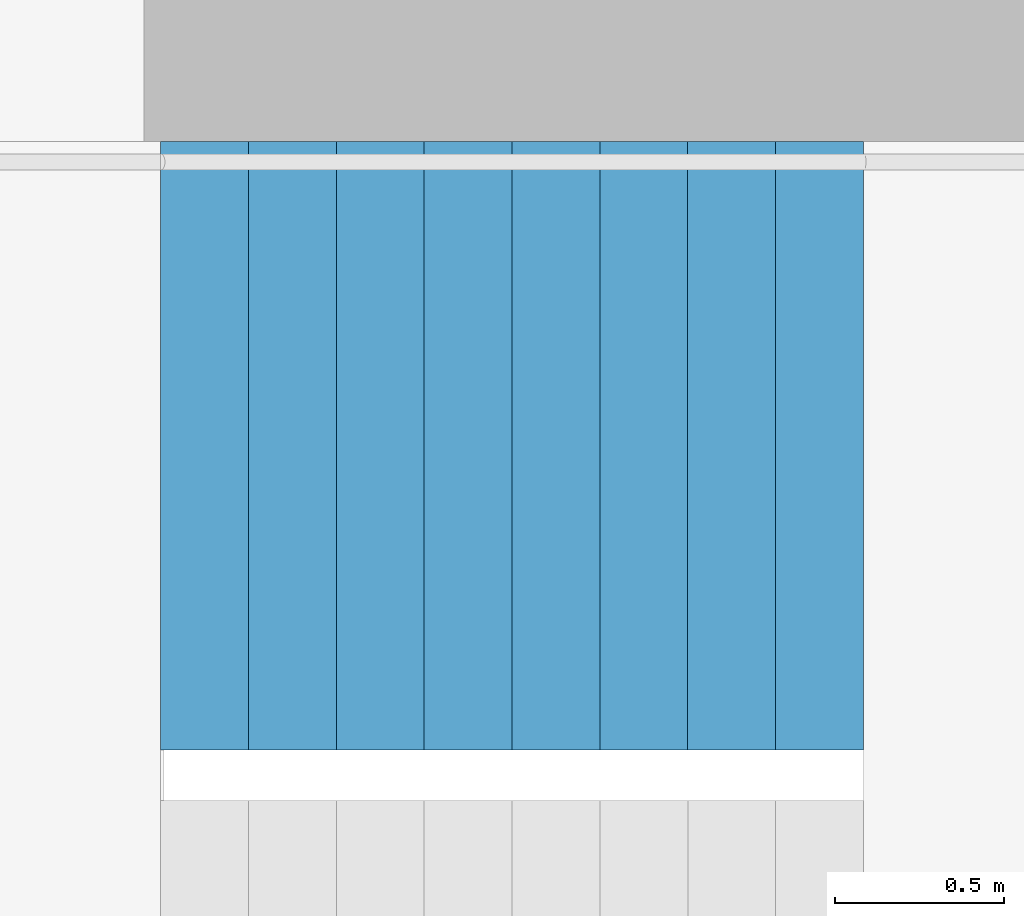
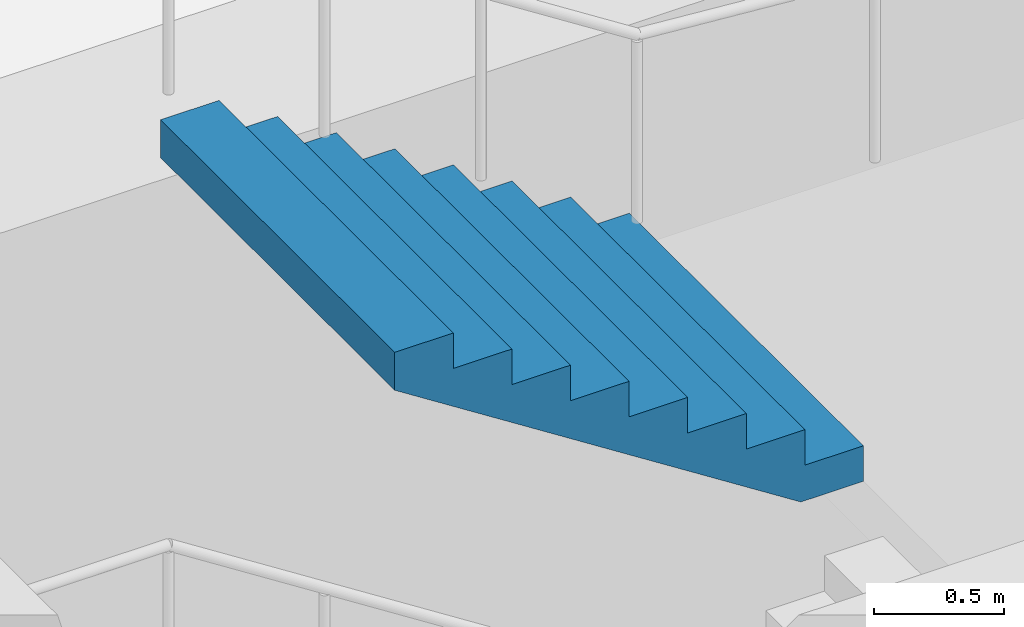
# One storey, part 25 of 35: 1 stair flight, 1 element without a shape of its own.
"""IFC4 building model written with IfcOpenShell, lengths in metres."""

from ifc_helpers import new_model, si_unit, direction, frame, origin, place, context, subcontext, project, spatial, triangles, material, type_object, element, aggregate, save


model = new_model("IFC4")

# Units and contexts
model_context = context("Model", 3, precision=1e-05, world=origin(), true_north=direction((0.0, 1.0)))
body_context = subcontext(model_context, "Body", "Model", "MODEL_VIEW")
ifc_project = project(units=[si_unit("LENGTHUNIT", "METRE"), si_unit("AREAUNIT", "SQUARE_METRE"), si_unit("VOLUMEUNIT", "CUBIC_METRE"), si_unit("PLANEANGLEUNIT", "RADIAN"), si_unit("MASSUNIT", "GRAM", prefix="KILO")], contexts=[model_context])

# Site, building, storey
site_placement = place(None, origin())
site = spatial("IfcSite", under=ifc_project, at=site_placement, CompositionType="ELEMENT")
building_placement = place(site_placement, origin())
building = spatial("IfcBuilding", under=site, at=building_placement, Name="Hakoniwa Tower and Hamabe Station Hall", CompositionType="ELEMENT")
storey_placement = place(building_placement, frame((0.0, 0.0, 270.60009765625)))
storey = spatial("IfcBuildingStorey", under=building, at=storey_placement, Name="L76", CompositionType="ELEMENT", Elevation=270.60009765625)

# Stair, stair flight
ifc_material_1 = material(Name="Concrete C40", Category="concrete")
stair_type = type_object("IfcStairType", Name="ESCAPE STAIR 1800", PredefinedType="HALF_TURN_STAIR", material=ifc_material_1)
stair_placement = place(storey_placement, origin())
stair = element("IfcStair", 1, at=stair_placement, inside=storey, type_object=stair_type, Name="Escape stair ST-1 L76", PredefinedType="HALF_TURN_STAIR")
ifc_material_2 = material(Name="Concrete C40", Category="concrete")
stair_flight_type = type_object("IfcStairFlightType", Name="STAIR FLIGHT 1800", PredefinedType="STRAIGHT", material=ifc_material_2)
stair_flight_placement = place(storey_placement, frame((-22.320068359375, 6.60009765625, 4.5), z_axis=(0.0, 0.0, 1.0), x_axis=(-1.0, 0.0, 0.0)))
stair_flight = element("IfcStairFlight", 2, at=stair_flight_placement, type_object=stair_flight_type, Name="ST-1 flight 4", NumberOfRisers=9, NumberOfTreads=8, PredefinedType="STRAIGHT", RiserHeight=0.166666667, TreadLength=0.26, context=body_context, shape_type="Tessellation", body=[
    triangles([(0.0, 0.89990234375, 0.0), (0.260009765625, 0.89990234375, 0.0), (0.27783203125, 0.89990234375, 0.0), (0.52001953125, 0.89990234375, 0.1552734375), (0.780029296875, 0.89990234375, 0.322021484375), (1.0400390625, 0.89990234375, 0.488525390625), (1.300048828125, 0.89990234375, 0.6552734375), (1.56005859375, 0.89990234375, 0.822021484375), (1.820068359375, 0.89990234375, 0.988525390625), (2.080078125, 0.89990234375, 1.1552734375), (2.080078125, 0.89990234375, 1.333251953125), (1.820068359375, 0.89990234375, 1.333251953125), (1.820068359375, 0.89990234375, 1.166748046875), (1.56005859375, 0.89990234375, 1.166748046875), (1.56005859375, 0.89990234375, 1.0), (1.300048828125, 0.89990234375, 1.0), (1.300048828125, 0.89990234375, 0.833251953125), (1.0400390625, 0.89990234375, 0.833251953125), (1.0400390625, 0.89990234375, 0.666748046875), (0.780029296875, 0.89990234375, 0.666748046875), (0.780029296875, 0.89990234375, 0.5), (0.52001953125, 0.89990234375, 0.5), (0.52001953125, 0.89990234375, 0.333251953125), (0.27783203125, 0.89990234375, 0.333251953125), (0.260009765625, 0.89990234375, 0.333251953125), (0.260009765625, 0.89990234375, 0.166748046875), (0.0, 0.89990234375, 0.166748046875), (0.0, 0.06005859375, 0.0), (0.260009765625, 0.06005859375, 0.0), (0.27783203125, 0.06005859375, 0.0), (0.52001953125, 0.06005859375, 0.1552734375), (0.780029296875, 0.06005859375, 0.322021484375), (1.0400390625, 0.06005859375, 0.488525390625), (1.300048828125, 0.06005859375, 0.6552734375), (1.56005859375, 0.06005859375, 0.822021484375), (1.820068359375, 0.06005859375, 0.988525390625), (2.080078125, 0.06005859375, 1.1552734375), (2.080078125, 0.06005859375, 1.333251953125), (1.820068359375, 0.06005859375, 1.333251953125), (1.820068359375, 0.06005859375, 1.166748046875), (1.56005859375, 0.06005859375, 1.166748046875), (1.56005859375, 0.06005859375, 1.0), (1.300048828125, 0.06005859375, 1.0), (1.300048828125, 0.06005859375, 0.833251953125), (1.0400390625, 0.06005859375, 0.833251953125), (1.0400390625, 0.06005859375, 0.666748046875), (0.780029296875, 0.06005859375, 0.666748046875), (0.780029296875, 0.06005859375, 0.5), (0.52001953125, 0.06005859375, 0.5), (0.52001953125, 0.06005859375, 0.333251953125), (0.27783203125, 0.06005859375, 0.333251953125), (0.260009765625, 0.06005859375, 0.333251953125), (0.260009765625, 0.06005859375, 0.166748046875), (0.0, 0.06005859375, 0.166748046875), (0.0, 0.04296875, 0.0), (0.260009765625, 0.04296875, 0.0), (0.27783203125, 0.04296875, 0.0), (0.52001953125, 0.04296875, 0.1552734375), (0.780029296875, 0.04296875, 0.322021484375), (1.0400390625, 0.04296875, 0.488525390625), (1.300048828125, 0.04296875, 0.6552734375), (1.56005859375, 0.04296875, 0.822021484375), (1.820068359375, 0.04296875, 0.988525390625), (2.080078125, 0.04296875, 1.1552734375), (2.080078125, 0.04296875, 1.333251953125), (1.820068359375, 0.04296875, 1.333251953125), (1.820068359375, 0.04296875, 1.166748046875), (1.56005859375, 0.04296875, 1.166748046875), (1.56005859375, 0.04296875, 1.0), (1.300048828125, 0.04296875, 1.0), (1.300048828125, 0.04296875, 0.833251953125), (1.0400390625, 0.04296875, 0.833251953125), (1.0400390625, 0.04296875, 0.666748046875), (0.780029296875, 0.04296875, 0.666748046875), (0.780029296875, 0.04296875, 0.5), (0.52001953125, 0.04296875, 0.5), (0.52001953125, 0.04296875, 0.333251953125), (0.27783203125, 0.04296875, 0.333251953125), (0.260009765625, 0.04296875, 0.333251953125), (0.260009765625, 0.04296875, 0.166748046875), (0.0, 0.04296875, 0.166748046875), (0.0, 0.025634765625, 0.0), (0.260009765625, 0.025634765625, 0.0), (0.27783203125, 0.025634765625, 0.0), (0.52001953125, 0.025634765625, 0.1552734375), (0.780029296875, 0.025634765625, 0.322021484375), (1.0400390625, 0.025634765625, 0.488525390625), (1.300048828125, 0.025634765625, 0.6552734375), (1.56005859375, 0.025634765625, 0.822021484375), (1.820068359375, 0.025634765625, 0.988525390625), (2.080078125, 0.025634765625, 1.1552734375), (2.080078125, 0.025634765625, 1.333251953125), (1.820068359375, 0.025634765625, 1.333251953125), (1.820068359375, 0.025634765625, 1.166748046875), (1.56005859375, 0.025634765625, 1.166748046875), (1.56005859375, 0.025634765625, 1.0), (1.300048828125, 0.025634765625, 1.0), (1.300048828125, 0.025634765625, 0.833251953125), (1.0400390625, 0.025634765625, 0.833251953125), (1.0400390625, 0.025634765625, 0.666748046875), (0.780029296875, 0.025634765625, 0.666748046875), (0.780029296875, 0.025634765625, 0.5), (0.52001953125, 0.025634765625, 0.5), (0.52001953125, 0.025634765625, 0.333251953125), (0.27783203125, 0.025634765625, 0.333251953125), (0.260009765625, 0.025634765625, 0.333251953125), (0.260009765625, 0.025634765625, 0.166748046875), (0.0, 0.025634765625, 0.166748046875), (0.0, 0.008544921875, 0.0), (0.260009765625, 0.008544921875, 0.0), (0.27783203125, 0.008544921875, 0.0), (0.52001953125, 0.008544921875, 0.1552734375), (0.780029296875, 0.008544921875, 0.322021484375), (1.0400390625, 0.008544921875, 0.488525390625), (1.300048828125, 0.008544921875, 0.6552734375), (1.56005859375, 0.008544921875, 0.822021484375), (1.820068359375, 0.008544921875, 0.988525390625), (2.080078125, 0.008544921875, 1.1552734375), (2.080078125, 0.008544921875, 1.333251953125), (1.820068359375, 0.008544921875, 1.333251953125), (1.820068359375, 0.008544921875, 1.166748046875), (1.56005859375, 0.008544921875, 1.166748046875), (1.56005859375, 0.008544921875, 1.0), (1.300048828125, 0.008544921875, 1.0), (1.300048828125, 0.008544921875, 0.833251953125), (1.0400390625, 0.008544921875, 0.833251953125), (1.0400390625, 0.008544921875, 0.666748046875), (0.780029296875, 0.008544921875, 0.666748046875), (0.780029296875, 0.008544921875, 0.5), (0.52001953125, 0.008544921875, 0.5), (0.52001953125, 0.008544921875, 0.333251953125), (0.27783203125, 0.008544921875, 0.333251953125), (0.260009765625, 0.008544921875, 0.333251953125), (0.260009765625, 0.008544921875, 0.166748046875), (0.0, 0.008544921875, 0.166748046875), (0.0, -0.008544921875, 0.0), (0.260009765625, -0.008544921875, 0.0), (0.27783203125, -0.008544921875, 0.0), (0.52001953125, -0.008544921875, 0.1552734375), (0.780029296875, -0.008544921875, 0.322021484375), (1.0400390625, -0.008544921875, 0.488525390625), (1.300048828125, -0.008544921875, 0.6552734375), (1.56005859375, -0.008544921875, 0.822021484375), (1.820068359375, -0.008544921875, 0.988525390625), (2.080078125, -0.008544921875, 1.1552734375), (2.080078125, -0.008544921875, 1.333251953125), (1.820068359375, -0.008544921875, 1.333251953125), (1.820068359375, -0.008544921875, 1.166748046875), (1.56005859375, -0.008544921875, 1.166748046875), (1.56005859375, -0.008544921875, 1.0), (1.300048828125, -0.008544921875, 1.0), (1.300048828125, -0.008544921875, 0.833251953125), (1.0400390625, -0.008544921875, 0.833251953125), (1.0400390625, -0.008544921875, 0.666748046875), (0.780029296875, -0.008544921875, 0.666748046875), (0.780029296875, -0.008544921875, 0.5), (0.52001953125, -0.008544921875, 0.5), (0.52001953125, -0.008544921875, 0.333251953125), (0.27783203125, -0.008544921875, 0.333251953125), (0.260009765625, -0.008544921875, 0.333251953125), (0.260009765625, -0.008544921875, 0.166748046875), (0.0, -0.008544921875, 0.166748046875), (0.0, -0.025634765625, 0.0), (0.260009765625, -0.025634765625, 0.0), (0.27783203125, -0.025634765625, 0.0), (0.52001953125, -0.025634765625, 0.1552734375), (0.780029296875, -0.025634765625, 0.322021484375), (1.0400390625, -0.025634765625, 0.488525390625), (1.300048828125, -0.025634765625, 0.6552734375), (1.56005859375, -0.025634765625, 0.822021484375), (1.820068359375, -0.025634765625, 0.988525390625), (2.080078125, -0.025634765625, 1.1552734375), (2.080078125, -0.025634765625, 1.333251953125), (1.820068359375, -0.025634765625, 1.333251953125), (1.820068359375, -0.025634765625, 1.166748046875), (1.56005859375, -0.025634765625, 1.166748046875), (1.56005859375, -0.025634765625, 1.0), (1.300048828125, -0.025634765625, 1.0), (1.300048828125, -0.025634765625, 0.833251953125), (1.0400390625, -0.025634765625, 0.833251953125), (1.0400390625, -0.025634765625, 0.666748046875), (0.780029296875, -0.025634765625, 0.666748046875), (0.780029296875, -0.025634765625, 0.5), (0.52001953125, -0.025634765625, 0.5), (0.52001953125, -0.025634765625, 0.333251953125), (0.27783203125, -0.025634765625, 0.333251953125), (0.260009765625, -0.025634765625, 0.333251953125), (0.260009765625, -0.025634765625, 0.166748046875), (0.0, -0.025634765625, 0.166748046875), (0.0, -0.04296875, 0.0), (0.260009765625, -0.04296875, 0.0), (0.27783203125, -0.04296875, 0.0), (0.52001953125, -0.04296875, 0.1552734375), (0.780029296875, -0.04296875, 0.322021484375), (1.0400390625, -0.04296875, 0.488525390625), (1.300048828125, -0.04296875, 0.6552734375), (1.56005859375, -0.04296875, 0.822021484375), (1.820068359375, -0.04296875, 0.988525390625), (2.080078125, -0.04296875, 1.1552734375), (2.080078125, -0.04296875, 1.333251953125), (1.820068359375, -0.04296875, 1.333251953125), (1.820068359375, -0.04296875, 1.166748046875), (1.56005859375, -0.04296875, 1.166748046875), (1.56005859375, -0.04296875, 1.0), (1.300048828125, -0.04296875, 1.0), (1.300048828125, -0.04296875, 0.833251953125), (1.0400390625, -0.04296875, 0.833251953125), (1.0400390625, -0.04296875, 0.666748046875), (0.780029296875, -0.04296875, 0.666748046875), (0.780029296875, -0.04296875, 0.5), (0.52001953125, -0.04296875, 0.5), (0.52001953125, -0.04296875, 0.333251953125), (0.27783203125, -0.04296875, 0.333251953125), (0.260009765625, -0.04296875, 0.333251953125), (0.260009765625, -0.04296875, 0.166748046875), (0.0, -0.04296875, 0.166748046875), (0.0, -0.06005859375, 0.0), (0.260009765625, -0.06005859375, 0.0), (0.27783203125, -0.06005859375, 0.0), (0.52001953125, -0.06005859375, 0.1552734375), (0.780029296875, -0.06005859375, 0.322021484375), (1.0400390625, -0.06005859375, 0.488525390625), (1.300048828125, -0.06005859375, 0.6552734375), (1.56005859375, -0.06005859375, 0.822021484375), (1.820068359375, -0.06005859375, 0.988525390625), (2.080078125, -0.06005859375, 1.1552734375), (2.080078125, -0.06005859375, 1.333251953125), (1.820068359375, -0.06005859375, 1.333251953125), (1.820068359375, -0.06005859375, 1.166748046875), (1.56005859375, -0.06005859375, 1.166748046875), (1.56005859375, -0.06005859375, 1.0), (1.300048828125, -0.06005859375, 1.0), (1.300048828125, -0.06005859375, 0.833251953125), (1.0400390625, -0.06005859375, 0.833251953125), (1.0400390625, -0.06005859375, 0.666748046875), (0.780029296875, -0.06005859375, 0.666748046875), (0.780029296875, -0.06005859375, 0.5), (0.52001953125, -0.06005859375, 0.5), (0.52001953125, -0.06005859375, 0.333251953125), (0.27783203125, -0.06005859375, 0.333251953125), (0.260009765625, -0.06005859375, 0.333251953125), (0.260009765625, -0.06005859375, 0.166748046875), (0.0, -0.06005859375, 0.166748046875), (0.0, -0.89990234375, 0.0), (0.260009765625, -0.89990234375, 0.0), (0.27783203125, -0.89990234375, 0.0), (0.52001953125, -0.89990234375, 0.1552734375), (0.780029296875, -0.89990234375, 0.322021484375), (1.0400390625, -0.89990234375, 0.488525390625), (1.300048828125, -0.89990234375, 0.6552734375), (1.56005859375, -0.89990234375, 0.822021484375), (1.820068359375, -0.89990234375, 0.988525390625), (2.080078125, -0.89990234375, 1.1552734375), (2.080078125, -0.89990234375, 1.333251953125), (1.820068359375, -0.89990234375, 1.333251953125), (1.820068359375, -0.89990234375, 1.166748046875), (1.56005859375, -0.89990234375, 1.166748046875), (1.56005859375, -0.89990234375, 1.0), (1.300048828125, -0.89990234375, 1.0), (1.300048828125, -0.89990234375, 0.833251953125), (1.0400390625, -0.89990234375, 0.833251953125), (1.0400390625, -0.89990234375, 0.666748046875), (0.780029296875, -0.89990234375, 0.666748046875), (0.780029296875, -0.89990234375, 0.5), (0.52001953125, -0.89990234375, 0.5), (0.52001953125, -0.89990234375, 0.333251953125), (0.27783203125, -0.89990234375, 0.333251953125), (0.260009765625, -0.89990234375, 0.333251953125), (0.260009765625, -0.89990234375, 0.166748046875), (0.0, -0.89990234375, 0.166748046875)], [[2, 27, 26], [245, 269, 270], [2, 1, 27], [245, 270, 244], [3, 25, 24], [246, 267, 268], [3, 26, 25], [246, 268, 269], [3, 2, 26], [246, 269, 245], [4, 24, 23], [247, 266, 267], [4, 3, 24], [247, 267, 246], [5, 22, 21], [248, 264, 265], [5, 23, 22], [248, 265, 266], [5, 4, 23], [248, 266, 247], [6, 20, 19], [249, 262, 263], [6, 21, 20], [249, 263, 264], [6, 5, 21], [249, 264, 248], [7, 18, 17], [250, 260, 261], [7, 19, 18], [250, 261, 262], [7, 6, 19], [250, 262, 249], [8, 16, 15], [251, 258, 259], [8, 17, 16], [251, 259, 260], [8, 7, 17], [251, 260, 250], [9, 14, 13], [252, 256, 257], [9, 15, 14], [252, 257, 258], [9, 8, 15], [252, 258, 251], [10, 12, 11], [253, 254, 255], [10, 13, 12], [253, 255, 256], [10, 9, 13], [253, 256, 252], [1, 2, 29], [1, 29, 28], [28, 29, 56], [28, 56, 55], [55, 56, 83], [55, 83, 82], [82, 83, 110], [82, 110, 109], [109, 110, 137], [109, 137, 136], [136, 137, 164], [136, 164, 163], [163, 164, 191], [163, 191, 190], [190, 191, 218], [190, 218, 217], [217, 218, 245], [217, 245, 244], [2, 3, 30], [2, 30, 29], [29, 30, 57], [29, 57, 56], [56, 57, 84], [56, 84, 83], [83, 84, 111], [83, 111, 110], [110, 111, 138], [110, 138, 137], [137, 138, 165], [137, 165, 164], [164, 165, 192], [164, 192, 191], [191, 192, 219], [191, 219, 218], [218, 219, 246], [218, 246, 245], [3, 4, 31], [3, 31, 30], [30, 31, 58], [30, 58, 57], [57, 58, 85], [57, 85, 84], [84, 85, 112], [84, 112, 111], [111, 112, 139], [111, 139, 138], [138, 139, 166], [138, 166, 165], [165, 166, 193], [165, 193, 192], [192, 193, 220], [192, 220, 219], [219, 220, 247], [219, 247, 246], [4, 5, 32], [4, 32, 31], [31, 32, 59], [31, 59, 58], [58, 59, 86], [58, 86, 85], [85, 86, 113], [85, 113, 112], [112, 113, 140], [112, 140, 139], [139, 140, 167], [139, 167, 166], [166, 167, 194], [166, 194, 193], [193, 194, 221], [193, 221, 220], [220, 221, 248], [220, 248, 247], [5, 6, 33], [5, 33, 32], [32, 33, 60], [32, 60, 59], [59, 60, 87], [59, 87, 86], [86, 87, 114], [86, 114, 113], [113, 114, 141], [113, 141, 140], [140, 141, 168], [140, 168, 167], [167, 168, 195], [167, 195, 194], [194, 195, 222], [194, 222, 221], [221, 222, 249], [221, 249, 248], [6, 7, 34], [6, 34, 33], [33, 34, 61], [33, 61, 60], [60, 61, 88], [60, 88, 87], [87, 88, 115], [87, 115, 114], [114, 115, 142], [114, 142, 141], [141, 142, 169], [141, 169, 168], [168, 169, 196], [168, 196, 195], [195, 196, 223], [195, 223, 222], [222, 223, 250], [222, 250, 249], [7, 8, 35], [7, 35, 34], [34, 35, 62], [34, 62, 61], [61, 62, 89], [61, 89, 88], [88, 89, 116], [88, 116, 115], [115, 116, 143], [115, 143, 142], [142, 143, 170], [142, 170, 169], [169, 170, 197], [169, 197, 196], [196, 197, 224], [196, 224, 223], [223, 224, 251], [223, 251, 250], [8, 9, 36], [8, 36, 35], [35, 36, 63], [35, 63, 62], [62, 63, 90], [62, 90, 89], [89, 90, 117], [89, 117, 116], [116, 117, 144], [116, 144, 143], [143, 144, 171], [143, 171, 170], [170, 171, 198], [170, 198, 197], [197, 198, 225], [197, 225, 224], [224, 225, 252], [224, 252, 251], [9, 10, 37], [9, 37, 36], [36, 37, 64], [36, 64, 63], [63, 64, 91], [63, 91, 90], [90, 91, 118], [90, 118, 117], [117, 118, 145], [117, 145, 144], [144, 145, 172], [144, 172, 171], [171, 172, 199], [171, 199, 198], [198, 199, 226], [198, 226, 225], [225, 226, 253], [225, 253, 252], [10, 11, 38], [10, 38, 37], [37, 38, 65], [37, 65, 64], [64, 65, 92], [64, 92, 91], [91, 92, 119], [91, 119, 118], [118, 119, 146], [118, 146, 145], [145, 146, 173], [145, 173, 172], [172, 173, 200], [172, 200, 199], [199, 200, 227], [199, 227, 226], [226, 227, 254], [226, 254, 253], [11, 12, 39], [11, 39, 38], [38, 39, 66], [38, 66, 65], [65, 66, 93], [65, 93, 92], [92, 93, 120], [92, 120, 119], [119, 120, 147], [119, 147, 146], [146, 147, 174], [146, 174, 173], [173, 174, 201], [173, 201, 200], [200, 201, 228], [200, 228, 227], [227, 228, 255], [227, 255, 254], [12, 13, 40], [12, 40, 39], [39, 40, 67], [39, 67, 66], [66, 67, 94], [66, 94, 93], [93, 94, 121], [93, 121, 120], [120, 121, 148], [120, 148, 147], [147, 148, 175], [147, 175, 174], [174, 175, 202], [174, 202, 201], [201, 202, 229], [201, 229, 228], [228, 229, 256], [228, 256, 255], [13, 14, 41], [13, 41, 40], [40, 41, 68], [40, 68, 67], [67, 68, 95], [67, 95, 94], [94, 95, 122], [94, 122, 121], [121, 122, 149], [121, 149, 148], [148, 149, 176], [148, 176, 175], [175, 176, 203], [175, 203, 202], [202, 203, 230], [202, 230, 229], [229, 230, 257], [229, 257, 256], [14, 15, 42], [14, 42, 41], [41, 42, 69], [41, 69, 68], [68, 69, 96], [68, 96, 95], [95, 96, 123], [95, 123, 122], [122, 123, 150], [122, 150, 149], [149, 150, 177], [149, 177, 176], [176, 177, 204], [176, 204, 203], [203, 204, 231], [203, 231, 230], [230, 231, 258], [230, 258, 257], [15, 16, 43], [15, 43, 42], [42, 43, 70], [42, 70, 69], [69, 70, 97], [69, 97, 96], [96, 97, 124], [96, 124, 123], [123, 124, 151], [123, 151, 150], [150, 151, 178], [150, 178, 177], [177, 178, 205], [177, 205, 204], [204, 205, 232], [204, 232, 231], [231, 232, 259], [231, 259, 258], [16, 17, 44], [16, 44, 43], [43, 44, 71], [43, 71, 70], [70, 71, 98], [70, 98, 97], [97, 98, 125], [97, 125, 124], [124, 125, 152], [124, 152, 151], [151, 152, 179], [151, 179, 178], [178, 179, 206], [178, 206, 205], [205, 206, 233], [205, 233, 232], [232, 233, 260], [232, 260, 259], [17, 18, 45], [17, 45, 44], [44, 45, 72], [44, 72, 71], [71, 72, 99], [71, 99, 98], [98, 99, 126], [98, 126, 125], [125, 126, 153], [125, 153, 152], [152, 153, 180], [152, 180, 179], [179, 180, 207], [179, 207, 206], [206, 207, 234], [206, 234, 233], [233, 234, 261], [233, 261, 260], [18, 19, 46], [18, 46, 45], [45, 46, 73], [45, 73, 72], [72, 73, 100], [72, 100, 99], [99, 100, 127], [99, 127, 126], [126, 127, 154], [126, 154, 153], [153, 154, 181], [153, 181, 180], [180, 181, 208], [180, 208, 207], [207, 208, 235], [207, 235, 234], [234, 235, 262], [234, 262, 261], [19, 20, 47], [19, 47, 46], [46, 47, 74], [46, 74, 73], [73, 74, 101], [73, 101, 100], [100, 101, 128], [100, 128, 127], [127, 128, 155], [127, 155, 154], [154, 155, 182], [154, 182, 181], [181, 182, 209], [181, 209, 208], [208, 209, 236], [208, 236, 235], [235, 236, 263], [235, 263, 262], [20, 21, 48], [20, 48, 47], [47, 48, 75], [47, 75, 74], [74, 75, 102], [74, 102, 101], [101, 102, 129], [101, 129, 128], [128, 129, 156], [128, 156, 155], [155, 156, 183], [155, 183, 182], [182, 183, 210], [182, 210, 209], [209, 210, 237], [209, 237, 236], [236, 237, 264], [236, 264, 263], [21, 22, 49], [21, 49, 48], [48, 49, 76], [48, 76, 75], [75, 76, 103], [75, 103, 102], [102, 103, 130], [102, 130, 129], [129, 130, 157], [129, 157, 156], [156, 157, 184], [156, 184, 183], [183, 184, 211], [183, 211, 210], [210, 211, 238], [210, 238, 237], [237, 238, 265], [237, 265, 264], [22, 23, 50], [22, 50, 49], [49, 50, 77], [49, 77, 76], [76, 77, 104], [76, 104, 103], [103, 104, 131], [103, 131, 130], [130, 131, 158], [130, 158, 157], [157, 158, 185], [157, 185, 184], [184, 185, 212], [184, 212, 211], [211, 212, 239], [211, 239, 238], [238, 239, 266], [238, 266, 265], [23, 24, 51], [23, 51, 50], [50, 51, 78], [50, 78, 77], [77, 78, 105], [77, 105, 104], [104, 105, 132], [104, 132, 131], [131, 132, 159], [131, 159, 158], [158, 159, 186], [158, 186, 185], [185, 186, 213], [185, 213, 212], [212, 213, 240], [212, 240, 239], [239, 240, 267], [239, 267, 266], [24, 25, 52], [24, 52, 51], [51, 52, 79], [51, 79, 78], [78, 79, 106], [78, 106, 105], [105, 106, 133], [105, 133, 132], [132, 133, 160], [132, 160, 159], [159, 160, 187], [159, 187, 186], [186, 187, 214], [186, 214, 213], [213, 214, 241], [213, 241, 240], [240, 241, 268], [240, 268, 267], [25, 26, 53], [25, 53, 52], [52, 53, 80], [52, 80, 79], [79, 80, 107], [79, 107, 106], [106, 107, 134], [106, 134, 133], [133, 134, 161], [133, 161, 160], [160, 161, 188], [160, 188, 187], [187, 188, 215], [187, 215, 214], [214, 215, 242], [214, 242, 241], [241, 242, 269], [241, 269, 268], [26, 27, 54], [26, 54, 53], [53, 54, 81], [53, 81, 80], [80, 81, 108], [80, 108, 107], [107, 108, 135], [107, 135, 134], [134, 135, 162], [134, 162, 161], [161, 162, 189], [161, 189, 188], [188, 189, 216], [188, 216, 215], [215, 216, 243], [215, 243, 242], [242, 243, 270], [242, 270, 269], [27, 1, 28], [27, 28, 54], [54, 28, 55], [54, 55, 81], [81, 55, 82], [81, 82, 108], [108, 82, 109], [108, 109, 135], [135, 109, 136], [135, 136, 162], [162, 136, 163], [162, 163, 189], [189, 163, 190], [189, 190, 216], [216, 190, 217], [216, 217, 243], [243, 217, 244], [243, 244, 270]], closed=True),
])
aggregate(stair, [stair_flight])

save(model, "model.ifc")
